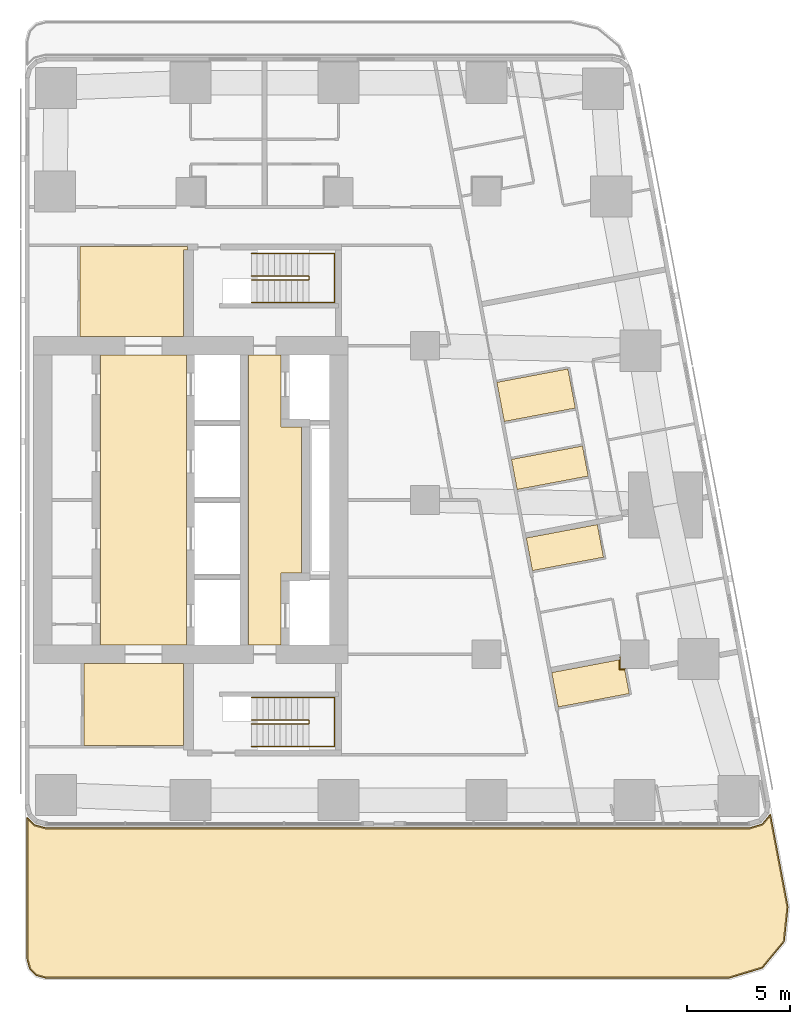
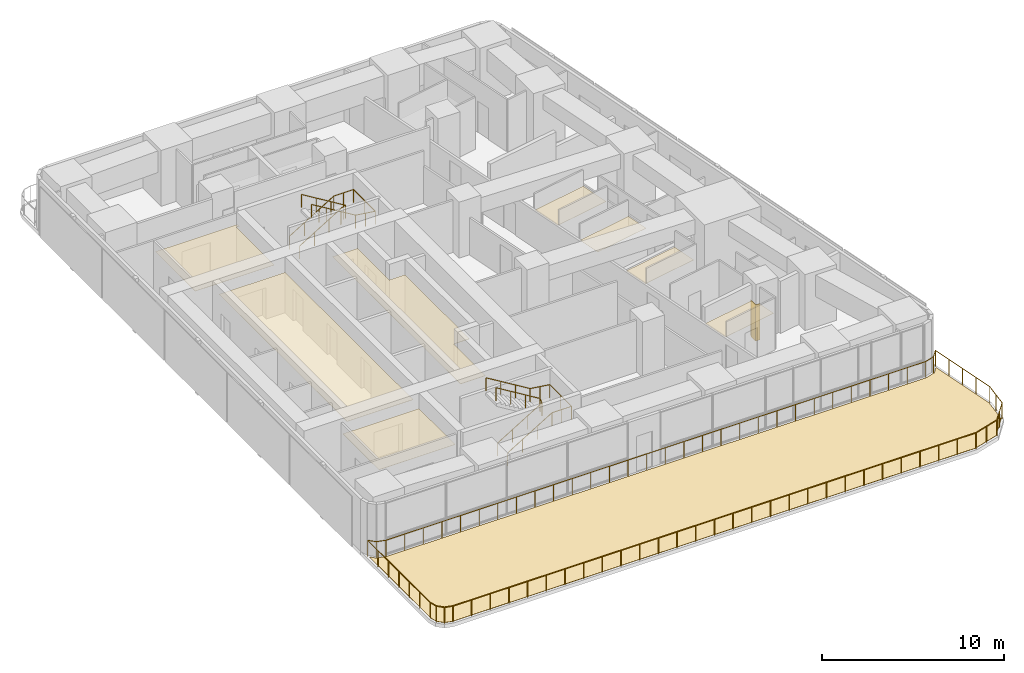
# One storey, part 11 of 12: 10 coverings, 5 railings.
"""IFC4 building model written with IfcOpenShell, lengths in metres."""

from ifc_helpers import new_model, si_unit, direction, frame, origin, origin_2d, place, context, subcontext, project, spatial, polyline, circle, outline, extrude, material, layer, layer_set, type_object, element, save


model = new_model("IFC4")

# Units and contexts
model_context = context("Model", 3, precision=1e-05, world=origin(), true_north=direction((0.0, 1.0)))
body_context = subcontext(model_context, "Body", "Model", "MODEL_VIEW")
ifc_project = project(units=[si_unit("LENGTHUNIT", "METRE"), si_unit("AREAUNIT", "SQUARE_METRE"), si_unit("VOLUMEUNIT", "CUBIC_METRE"), si_unit("PLANEANGLEUNIT", "RADIAN"), si_unit("MASSUNIT", "GRAM", prefix="KILO")], contexts=[model_context])

# Site, building, storey
site_placement = place(None, origin())
site = spatial("IfcSite", under=ifc_project, at=site_placement, CompositionType="ELEMENT")
building_placement = place(site_placement, origin())
building = spatial("IfcBuilding", under=site, at=building_placement, Name="Sheger Commons Tower", CompositionType="ELEMENT")
storey_placement = place(building_placement, frame((0.0, 0.0, 251.60009765625)))
storey = spatial("IfcBuildingStorey", under=building, at=storey_placement, Name="L64", CompositionType="ELEMENT", Elevation=251.60009765625)

# Railings
ifc_material_1 = material(Name="Black steel guard with glass infill", Category="steel")
railing_type_1 = type_object("IfcRailingType", Name="GUARD 1100", PredefinedType="GUARDRAIL", material=ifc_material_1)
railing_1_placement = place(storey_placement, frame((13.64990234375, 7.04296875, 0.0)))
element("IfcRailing", 1, at=railing_1_placement, inside=storey, type_object=railing_type_1, Name="Terrace guard L64", PredefinedType="GUARDRAIL", context=body_context, shape_type="SweptSolid", body=[
    extrude(circle(Radius=0.02392578125, at=origin_2d()), frame((0.0, 0.0, 1.0771484375), z_axis=(0.706363371834, -0.707849409783, 0.0), x_axis=(0.707849409783, 0.706363371834, 0.0)), (0.0, 0.0, 1.0), 0.492919921875),
    extrude(circle(Radius=0.02392578125, at=origin_2d()), frame((0.34814453125, -0.348876953125, 1.0771484375), z_axis=(0.966104095777, -0.258152815448, 0.0), x_axis=(0.258152815448, 0.966104095777, 0.0)), (0.0, 0.0, 1.0), 0.557861328125),
    extrude(circle(Radius=0.02392578125, at=origin_2d()), frame((0.88720703125, -0.492919921875, 1.0771484375), z_axis=(1.0, 0.0, 0.0), x_axis=(0.0, 1.0, 0.0)), (0.0, 0.0, 1.0), 34.27978515625),
    extrude(circle(Radius=0.02392578125, at=origin_2d()), frame((35.1669921875, -0.492919921875, 1.0771484375), z_axis=(0.957350219535, 0.288930021211, 0.0), x_axis=(-0.288930021211, 0.957350219535, 0.0)), (0.0, 0.0, 1.0), 0.622802734375),
    extrude(circle(Radius=0.02392578125, at=origin_2d()), frame((35.76318359375, -0.31298828125, 1.0771484375), z_axis=(0.638491861563, 0.76962857452, 0.0), x_axis=(-0.76962857452, 0.638491861563, 0.0)), (0.0, 0.0, 1.0), 0.610595703125),
    extrude(circle(Radius=0.02392578125, at=origin_2d()), frame((36.153076171875, 0.156982421875, 1.0771484375), z_axis=(0.185744123327, -0.9825981481, 0.0), x_axis=(0.9825981481, 0.185744123327, 0.0)), (0.0, 0.0, 1.0), 4.57666015625),
    extrude(circle(Radius=0.02392578125, at=origin_2d()), frame((37.003173828125, -4.340087890625, 1.0771484375), z_axis=(-0.106047815515, -0.994361031429, 0.0), x_axis=(0.994361031429, -0.106047815515, 0.0)), (0.0, 0.0, 1.0), 1.6875),
    extrude(circle(Radius=0.02392578125, at=origin_2d()), frame((36.82421875, -6.01806640625, 1.0771484375), z_axis=(-0.638042593423, -0.770001070764, 0.0), x_axis=(0.770001070764, -0.638042593423, 0.0)), (0.0, 0.0, 1.0), 1.672607421875),
    extrude(circle(Radius=0.02392578125, at=origin_2d()), frame((35.757080078125, -7.305908203125, 1.0771484375), z_axis=(-0.957455232626, -0.288581838509, 0.0), x_axis=(0.288581838509, -0.957455232626, 0.0)), (0.0, 0.0, 1.0), 1.687744140625),
    extrude(circle(Radius=0.02392578125, at=origin_2d()), frame((34.14111328125, -7.79296875, 1.0771484375), z_axis=(-1.0, 0.0, 0.0), x_axis=(0.0, -1.0, 0.0)), (0.0, 0.0, 1.0), 33.22802734375),
    extrude(circle(Radius=0.02392578125, at=origin_2d()), frame((0.9130859375, -7.79296875, 1.0771484375), z_axis=(-0.965655254015, 0.259826731483, 0.0), x_axis=(-0.259826731483, -0.965655254015, 0.0)), (0.0, 0.0, 1.0), 0.477294921875),
    extrude(circle(Radius=0.02392578125, at=origin_2d()), frame((0.4521484375, -7.6689453125, 1.0771484375), z_axis=(-0.707369890659, 0.706843573776, 0.0), x_axis=(-0.706843573776, -0.707369890659, 0.0)), (0.0, 0.0, 1.0), 0.4638671875),
    extrude(circle(Radius=0.02392578125, at=origin_2d()), frame((0.1240234375, -7.341064453125, 1.0771484375), z_axis=(-0.259698463175, 0.965689757751, 0.0), x_axis=(-0.965689757751, -0.259698463175, 0.0)), (0.0, 0.0, 1.0), 0.4775390625),
    extrude(circle(Radius=0.02392578125, at=origin_2d()), frame((0.0, -6.8798828125, 1.0771484375), z_axis=(0.0, 1.0, 0.0), x_axis=(-1.0, 0.0, 0.0)), (0.0, 0.0, 1.0), 6.8798828125),
    extrude(circle(Radius=0.02099609375, at=origin_2d()), origin(), (0.0, 0.0, 1.0), 1.052001953125),
    extrude(circle(Radius=0.02099609375, at=origin_2d()), frame((0.34814453125, -0.348876953125, 0.0)), (0.0, 0.0, 1.0), 1.052001953125),
    extrude(circle(Radius=0.02099609375, at=origin_2d()), frame((0.88720703125, -0.492919921875, 0.0)), (0.0, 0.0, 1.0), 1.052001953125),
    extrude(circle(Radius=0.02099609375, at=origin_2d()), frame((2.0693359375, -0.492919921875, 0.0)), (0.0, 0.0, 1.0), 1.052001953125),
    extrude(circle(Radius=0.02099609375, at=origin_2d()), frame((3.251220703125, -0.492919921875, 0.0)), (0.0, 0.0, 1.0), 1.052001953125),
    extrude(circle(Radius=0.02099609375, at=origin_2d()), frame((4.433349609375, -0.492919921875, 0.0)), (0.0, 0.0, 1.0), 1.052001953125),
    extrude(circle(Radius=0.02099609375, at=origin_2d()), frame((5.615478515625, -0.492919921875, 0.0)), (0.0, 0.0, 1.0), 1.052001953125),
    extrude(circle(Radius=0.02099609375, at=origin_2d()), frame((6.797607421875, -0.492919921875, 0.0)), (0.0, 0.0, 1.0), 1.052001953125),
    extrude(circle(Radius=0.02099609375, at=origin_2d()), frame((7.9794921875, -0.492919921875, 0.0)), (0.0, 0.0, 1.0), 1.052001953125),
    extrude(circle(Radius=0.02099609375, at=origin_2d()), frame((9.16162109375, -0.492919921875, 0.0)), (0.0, 0.0, 1.0), 1.052001953125),
    extrude(circle(Radius=0.02099609375, at=origin_2d()), frame((10.34375, -0.492919921875, 0.0)), (0.0, 0.0, 1.0), 1.052001953125),
    extrude(circle(Radius=0.02099609375, at=origin_2d()), frame((11.52587890625, -0.492919921875, 0.0)), (0.0, 0.0, 1.0), 1.052001953125),
    extrude(circle(Radius=0.02099609375, at=origin_2d()), frame((12.707763671875, -0.492919921875, 0.0)), (0.0, 0.0, 1.0), 1.052001953125),
    extrude(circle(Radius=0.02099609375, at=origin_2d()), frame((13.889892578125, -0.492919921875, 0.0)), (0.0, 0.0, 1.0), 1.052001953125),
    extrude(circle(Radius=0.02099609375, at=origin_2d()), frame((15.072021484375, -0.492919921875, 0.0)), (0.0, 0.0, 1.0), 1.052001953125),
    extrude(circle(Radius=0.02099609375, at=origin_2d()), frame((16.25390625, -0.492919921875, 0.0)), (0.0, 0.0, 1.0), 1.052001953125),
    extrude(circle(Radius=0.02099609375, at=origin_2d()), frame((17.43603515625, -0.492919921875, 0.0)), (0.0, 0.0, 1.0), 1.052001953125),
    extrude(circle(Radius=0.02099609375, at=origin_2d()), frame((18.6181640625, -0.492919921875, 0.0)), (0.0, 0.0, 1.0), 1.052001953125),
    extrude(circle(Radius=0.02099609375, at=origin_2d()), frame((19.80029296875, -0.492919921875, 0.0)), (0.0, 0.0, 1.0), 1.052001953125),
    extrude(circle(Radius=0.02099609375, at=origin_2d()), frame((20.982177734375, -0.492919921875, 0.0)), (0.0, 0.0, 1.0), 1.052001953125),
    extrude(circle(Radius=0.02099609375, at=origin_2d()), frame((22.164306640625, -0.492919921875, 0.0)), (0.0, 0.0, 1.0), 1.052001953125),
    extrude(circle(Radius=0.02099609375, at=origin_2d()), frame((23.346435546875, -0.492919921875, 0.0)), (0.0, 0.0, 1.0), 1.052001953125),
    extrude(circle(Radius=0.02099609375, at=origin_2d()), frame((24.5283203125, -0.492919921875, 0.0)), (0.0, 0.0, 1.0), 1.052001953125),
    extrude(circle(Radius=0.02099609375, at=origin_2d()), frame((25.71044921875, -0.492919921875, 0.0)), (0.0, 0.0, 1.0), 1.052001953125),
    extrude(circle(Radius=0.02099609375, at=origin_2d()), frame((26.892578125, -0.492919921875, 0.0)), (0.0, 0.0, 1.0), 1.052001953125),
    extrude(circle(Radius=0.02099609375, at=origin_2d()), frame((28.07470703125, -0.492919921875, 0.0)), (0.0, 0.0, 1.0), 1.052001953125),
    extrude(circle(Radius=0.02099609375, at=origin_2d()), frame((29.256591796875, -0.492919921875, 0.0)), (0.0, 0.0, 1.0), 1.052001953125),
    extrude(circle(Radius=0.02099609375, at=origin_2d()), frame((30.438720703125, -0.492919921875, 0.0)), (0.0, 0.0, 1.0), 1.052001953125),
    extrude(circle(Radius=0.02099609375, at=origin_2d()), frame((31.620849609375, -0.492919921875, 0.0)), (0.0, 0.0, 1.0), 1.052001953125),
    extrude(circle(Radius=0.02099609375, at=origin_2d()), frame((32.802978515625, -0.492919921875, 0.0)), (0.0, 0.0, 1.0), 1.052001953125),
    extrude(circle(Radius=0.02099609375, at=origin_2d()), frame((33.98486328125, -0.492919921875, 0.0)), (0.0, 0.0, 1.0), 1.052001953125),
    extrude(circle(Radius=0.02099609375, at=origin_2d()), frame((35.1669921875, -0.492919921875, 0.0)), (0.0, 0.0, 1.0), 1.052001953125),
    extrude(circle(Radius=0.02099609375, at=origin_2d()), frame((35.76318359375, -0.31298828125, 0.0)), (0.0, 0.0, 1.0), 1.052001953125),
    extrude(circle(Radius=0.02099609375, at=origin_2d()), frame((36.153076171875, 0.156982421875, 0.0)), (0.0, 0.0, 1.0), 1.052001953125),
    extrude(circle(Radius=0.02099609375, at=origin_2d()), frame((36.36572265625, -0.96728515625, 0.0)), (0.0, 0.0, 1.0), 1.052001953125),
    extrude(circle(Radius=0.02099609375, at=origin_2d()), frame((36.578125, -2.091552734375, 0.0)), (0.0, 0.0, 1.0), 1.052001953125),
    extrude(circle(Radius=0.02099609375, at=origin_2d()), frame((36.79052734375, -3.2158203125, 0.0)), (0.0, 0.0, 1.0), 1.052001953125),
    extrude(circle(Radius=0.02099609375, at=origin_2d()), frame((37.003173828125, -4.340087890625, 0.0)), (0.0, 0.0, 1.0), 1.052001953125),
    extrude(circle(Radius=0.02099609375, at=origin_2d()), frame((36.91357421875, -5.17919921875, 0.0)), (0.0, 0.0, 1.0), 1.052001953125),
    extrude(circle(Radius=0.02099609375, at=origin_2d()), frame((36.82421875, -6.01806640625, 0.0)), (0.0, 0.0, 1.0), 1.052001953125),
    extrude(circle(Radius=0.02099609375, at=origin_2d()), frame((36.29052734375, -6.662109375, 0.0)), (0.0, 0.0, 1.0), 1.052001953125),
    extrude(circle(Radius=0.02099609375, at=origin_2d()), frame((35.757080078125, -7.305908203125, 0.0)), (0.0, 0.0, 1.0), 1.052001953125),
    extrude(circle(Radius=0.02099609375, at=origin_2d()), frame((34.94921875, -7.54931640625, 0.0)), (0.0, 0.0, 1.0), 1.052001953125),
    extrude(circle(Radius=0.02099609375, at=origin_2d()), frame((34.14111328125, -7.79296875, 0.0)), (0.0, 0.0, 1.0), 1.052001953125),
    extrude(circle(Radius=0.02099609375, at=origin_2d()), frame((32.954345703125, -7.79296875, 0.0)), (0.0, 0.0, 1.0), 1.052001953125),
    extrude(circle(Radius=0.02099609375, at=origin_2d()), frame((31.767578125, -7.79296875, 0.0)), (0.0, 0.0, 1.0), 1.052001953125),
    extrude(circle(Radius=0.02099609375, at=origin_2d()), frame((30.5810546875, -7.79296875, 0.0)), (0.0, 0.0, 1.0), 1.052001953125),
    extrude(circle(Radius=0.02099609375, at=origin_2d()), frame((29.394287109375, -7.79296875, 0.0)), (0.0, 0.0, 1.0), 1.052001953125),
    extrude(circle(Radius=0.02099609375, at=origin_2d()), frame((28.20751953125, -7.79296875, 0.0)), (0.0, 0.0, 1.0), 1.052001953125),
    extrude(circle(Radius=0.02099609375, at=origin_2d()), frame((27.020751953125, -7.79296875, 0.0)), (0.0, 0.0, 1.0), 1.052001953125),
    extrude(circle(Radius=0.02099609375, at=origin_2d()), frame((25.833984375, -7.79296875, 0.0)), (0.0, 0.0, 1.0), 1.052001953125),
    extrude(circle(Radius=0.02099609375, at=origin_2d()), frame((24.6474609375, -7.79296875, 0.0)), (0.0, 0.0, 1.0), 1.052001953125),
    extrude(circle(Radius=0.02099609375, at=origin_2d()), frame((23.460693359375, -7.79296875, 0.0)), (0.0, 0.0, 1.0), 1.052001953125),
    extrude(circle(Radius=0.02099609375, at=origin_2d()), frame((22.27392578125, -7.79296875, 0.0)), (0.0, 0.0, 1.0), 1.052001953125),
    extrude(circle(Radius=0.02099609375, at=origin_2d()), frame((21.087158203125, -7.79296875, 0.0)), (0.0, 0.0, 1.0), 1.052001953125),
    extrude(circle(Radius=0.02099609375, at=origin_2d()), frame((19.900634765625, -7.79296875, 0.0)), (0.0, 0.0, 1.0), 1.052001953125),
    extrude(circle(Radius=0.02099609375, at=origin_2d()), frame((18.7138671875, -7.79296875, 0.0)), (0.0, 0.0, 1.0), 1.052001953125),
    extrude(circle(Radius=0.02099609375, at=origin_2d()), frame((17.527099609375, -7.79296875, 0.0)), (0.0, 0.0, 1.0), 1.052001953125),
    extrude(circle(Radius=0.02099609375, at=origin_2d()), frame((16.34033203125, -7.79296875, 0.0)), (0.0, 0.0, 1.0), 1.052001953125),
    extrude(circle(Radius=0.02099609375, at=origin_2d()), frame((15.153564453125, -7.79296875, 0.0)), (0.0, 0.0, 1.0), 1.052001953125),
    extrude(circle(Radius=0.02099609375, at=origin_2d()), frame((13.967041015625, -7.79296875, 0.0)), (0.0, 0.0, 1.0), 1.052001953125),
    extrude(circle(Radius=0.02099609375, at=origin_2d()), frame((12.7802734375, -7.79296875, 0.0)), (0.0, 0.0, 1.0), 1.052001953125),
    extrude(circle(Radius=0.02099609375, at=origin_2d()), frame((11.593505859375, -7.79296875, 0.0)), (0.0, 0.0, 1.0), 1.052001953125),
    extrude(circle(Radius=0.02099609375, at=origin_2d()), frame((10.40673828125, -7.79296875, 0.0)), (0.0, 0.0, 1.0), 1.052001953125),
    extrude(circle(Radius=0.02099609375, at=origin_2d()), frame((9.22021484375, -7.79296875, 0.0)), (0.0, 0.0, 1.0), 1.052001953125),
    extrude(circle(Radius=0.02099609375, at=origin_2d()), frame((8.033447265625, -7.79296875, 0.0)), (0.0, 0.0, 1.0), 1.052001953125),
    extrude(circle(Radius=0.02099609375, at=origin_2d()), frame((6.8466796875, -7.79296875, 0.0)), (0.0, 0.0, 1.0), 1.052001953125),
    extrude(circle(Radius=0.02099609375, at=origin_2d()), frame((5.659912109375, -7.79296875, 0.0)), (0.0, 0.0, 1.0), 1.052001953125),
    extrude(circle(Radius=0.02099609375, at=origin_2d()), frame((4.47314453125, -7.79296875, 0.0)), (0.0, 0.0, 1.0), 1.052001953125),
    extrude(circle(Radius=0.02099609375, at=origin_2d()), frame((3.28662109375, -7.79296875, 0.0)), (0.0, 0.0, 1.0), 1.052001953125),
    extrude(circle(Radius=0.02099609375, at=origin_2d()), frame((2.099853515625, -7.79296875, 0.0)), (0.0, 0.0, 1.0), 1.052001953125),
    extrude(circle(Radius=0.02099609375, at=origin_2d()), frame((0.9130859375, -7.79296875, 0.0)), (0.0, 0.0, 1.0), 1.052001953125),
    extrude(circle(Radius=0.02099609375, at=origin_2d()), frame((0.4521484375, -7.6689453125, 0.0)), (0.0, 0.0, 1.0), 1.052001953125),
    extrude(circle(Radius=0.02099609375, at=origin_2d()), frame((0.1240234375, -7.341064453125, 0.0)), (0.0, 0.0, 1.0), 1.052001953125),
    extrude(circle(Radius=0.02099609375, at=origin_2d()), frame((0.0, -6.8798828125, 0.0)), (0.0, 0.0, 1.0), 1.052001953125),
    extrude(circle(Radius=0.02099609375, at=origin_2d()), frame((0.0, -5.733154296875, 0.0)), (0.0, 0.0, 1.0), 1.052001953125),
    extrude(circle(Radius=0.02099609375, at=origin_2d()), frame((0.0, -4.586669921875, 0.0)), (0.0, 0.0, 1.0), 1.052001953125),
    extrude(circle(Radius=0.02099609375, at=origin_2d()), frame((0.0, -3.43994140625, 0.0)), (0.0, 0.0, 1.0), 1.052001953125),
    extrude(circle(Radius=0.02099609375, at=origin_2d()), frame((0.0, -2.293212890625, 0.0)), (0.0, 0.0, 1.0), 1.052001953125),
    extrude(circle(Radius=0.02099609375, at=origin_2d()), frame((0.0, -1.146728515625, 0.0)), (0.0, 0.0, 1.0), 1.052001953125),
])
ifc_material_2 = material(Name="Steel handrail, black powder-coated", Category="steel")
railing_type_2 = type_object("IfcRailingType", Name="HANDRAIL 900", PredefinedType="HANDRAIL", material=ifc_material_2)
railing_2_placement = place(storey_placement, frame((24.550048828125, 11.60009765625, 0.17041015625)))
element("IfcRailing", 2, at=railing_2_placement, inside=storey, type_object=railing_type_2, Name="Stair S1 handrail L64", PredefinedType="HANDRAIL", context=body_context, shape_type="SweptSolid", body=[
    extrude(circle(Radius=0.02392578125, at=origin_2d()), frame((0.0, 0.0, 0.8759765625), z_axis=(0.854169791009, 0.0, 0.51999420009), x_axis=(0.0, 1.0, 0.0)), (0.0, 0.0, 1.0), 3.278076171875),
    extrude(circle(Radius=0.02392578125, at=origin_2d()), frame((2.800048828125, 0.0, 2.58056640625), z_axis=(0.0, 0.761090297175, 0.648645943136), x_axis=(-1.0, 0.0, 0.0)), (0.0, 0.0, 1.0), 0.2626953125),
    extrude(circle(Radius=0.02392578125, at=origin_2d()), frame((2.800048828125, 0.199951171875, 2.7509765625), z_axis=(-0.854169791009, 0.0, 0.51999420009), x_axis=(0.0, -1.0, 0.0)), (0.0, 0.0, 1.0), 3.278076171875),
    extrude(circle(Radius=0.02099609375, at=origin_2d()), origin(), (0.0, 0.0, 1.0), 0.851806640625),
    extrude(circle(Radius=0.02099609375, at=origin_2d()), frame((0.933349609375, 0.0, 0.568115234375)), (0.0, 0.0, 1.0), 0.851806640625),
    extrude(circle(Radius=0.02099609375, at=origin_2d()), frame((1.86669921875, 0.0, 1.136474609375)), (0.0, 0.0, 1.0), 0.851806640625),
    extrude(circle(Radius=0.02099609375, at=origin_2d()), frame((2.800048828125, 0.0, 1.70458984375)), (0.0, 0.0, 1.0), 0.851806640625),
    extrude(circle(Radius=0.02099609375, at=origin_2d()), frame((2.800048828125, 0.199951171875, 1.875)), (0.0, 0.0, 1.0), 0.851806640625),
    extrude(circle(Radius=0.02099609375, at=origin_2d()), frame((1.86669921875, 0.199951171875, 2.443115234375)), (0.0, 0.0, 1.0), 0.851806640625),
    extrude(circle(Radius=0.02099609375, at=origin_2d()), frame((0.933349609375, 0.199951171875, 3.011474609375)), (0.0, 0.0, 1.0), 0.851806640625),
    extrude(circle(Radius=0.02099609375, at=origin_2d()), frame((0.0, 0.199951171875, 3.57958984375)), (0.0, 0.0, 1.0), 0.851806640625),
])
railing_3_placement = place(storey_placement, frame((24.550048828125, 10.5, 0.17041015625)))
element("IfcRailing", 3, at=railing_3_placement, inside=storey, type_object=railing_type_2, Name="Stair S1 handrail L64", PredefinedType="HANDRAIL", context=body_context, shape_type="SweptSolid", body=[
    extrude(circle(Radius=0.02392578125, at=origin_2d()), frame((0.0, 0.0, 0.8759765625), z_axis=(0.854169791009, 0.0, 0.51999420009), x_axis=(0.0, 1.0, 0.0)), (0.0, 0.0, 1.0), 3.278076171875),
    extrude(circle(Radius=0.02392578125, at=origin_2d()), frame((2.800048828125, 0.0, 2.58056640625), z_axis=(1.0, 0.0, 0.0), x_axis=(0.0, 1.0, 0.0)), (0.0, 0.0, 1.0), 1.25),
    extrude(circle(Radius=0.02392578125, at=origin_2d()), frame((4.050048828125, 0.0, 2.58056640625), z_axis=(0.0, 1.0, 0.0), x_axis=(-1.0, 0.0, 0.0)), (0.0, 0.0, 1.0), 2.39990234375),
    extrude(circle(Radius=0.02392578125, at=origin_2d()), frame((4.050048828125, 2.39990234375, 2.58056640625), z_axis=(-0.990834877927, 0.0, 0.135078661092), x_axis=(0.0, -1.0, 0.0)), (0.0, 0.0, 1.0), 1.261474609375),
    extrude(circle(Radius=0.02392578125, at=origin_2d()), frame((2.800048828125, 2.39990234375, 2.7509765625), z_axis=(-0.854169791009, 0.0, 0.51999420009), x_axis=(0.0, -1.0, 0.0)), (0.0, 0.0, 1.0), 3.278076171875),
    extrude(circle(Radius=0.02099609375, at=origin_2d()), origin(), (0.0, 0.0, 1.0), 0.851806640625),
    extrude(circle(Radius=0.02099609375, at=origin_2d()), frame((0.933349609375, 0.0, 0.568115234375)), (0.0, 0.0, 1.0), 0.851806640625),
    extrude(circle(Radius=0.02099609375, at=origin_2d()), frame((1.86669921875, 0.0, 1.136474609375)), (0.0, 0.0, 1.0), 0.851806640625),
    extrude(circle(Radius=0.02099609375, at=origin_2d()), frame((2.800048828125, 0.0, 1.70458984375)), (0.0, 0.0, 1.0), 0.851806640625),
    extrude(circle(Radius=0.02099609375, at=origin_2d()), frame((3.425048828125, 0.0, 1.70458984375)), (0.0, 0.0, 1.0), 0.851806640625),
    extrude(circle(Radius=0.02099609375, at=origin_2d()), frame((4.050048828125, 0.0, 1.70458984375)), (0.0, 0.0, 1.0), 0.851806640625),
    extrude(circle(Radius=0.02099609375, at=origin_2d()), frame((4.050048828125, 1.199951171875, 1.70458984375)), (0.0, 0.0, 1.0), 0.851806640625),
    extrude(circle(Radius=0.02099609375, at=origin_2d()), frame((4.050048828125, 2.39990234375, 1.70458984375)), (0.0, 0.0, 1.0), 0.851806640625),
    extrude(circle(Radius=0.02099609375, at=origin_2d()), frame((3.425048828125, 2.39990234375, 1.789794921875)), (0.0, 0.0, 1.0), 0.851806640625),
    extrude(circle(Radius=0.02099609375, at=origin_2d()), frame((2.800048828125, 2.39990234375, 1.875)), (0.0, 0.0, 1.0), 0.851806640625),
    extrude(circle(Radius=0.02099609375, at=origin_2d()), frame((1.86669921875, 2.39990234375, 2.443115234375)), (0.0, 0.0, 1.0), 0.851806640625),
    extrude(circle(Radius=0.02099609375, at=origin_2d()), frame((0.933349609375, 2.39990234375, 3.011474609375)), (0.0, 0.0, 1.0), 0.851806640625),
    extrude(circle(Radius=0.02099609375, at=origin_2d()), frame((0.0, 2.39990234375, 3.57958984375)), (0.0, 0.0, 1.0), 0.851806640625),
])
railing_4_placement = place(storey_placement, frame((24.550048828125, 33.39990234375, 0.17041015625)))
element("IfcRailing", 4, at=railing_4_placement, inside=storey, type_object=railing_type_2, Name="Stair S2 handrail L64", PredefinedType="HANDRAIL", context=body_context, shape_type="SweptSolid", body=[
    extrude(circle(Radius=0.02392578125, at=origin_2d()), frame((0.0, 0.0, 0.8759765625), z_axis=(0.854169791009, 0.0, 0.51999420009), x_axis=(0.0, 1.0, 0.0)), (0.0, 0.0, 1.0), 3.278076171875),
    extrude(circle(Radius=0.02392578125, at=origin_2d()), frame((2.800048828125, 0.0, 2.58056640625), z_axis=(0.0, -0.761090297175, 0.648645943136), x_axis=(1.0, 0.0, 0.0)), (0.0, 0.0, 1.0), 0.2626953125),
    extrude(circle(Radius=0.02392578125, at=origin_2d()), frame((2.800048828125, -0.199951171875, 2.7509765625), z_axis=(-0.854169791009, 0.0, 0.51999420009), x_axis=(0.0, -1.0, 0.0)), (0.0, 0.0, 1.0), 3.278076171875),
    extrude(circle(Radius=0.02099609375, at=origin_2d()), origin(), (0.0, 0.0, 1.0), 0.851806640625),
    extrude(circle(Radius=0.02099609375, at=origin_2d()), frame((0.933349609375, 0.0, 0.568115234375)), (0.0, 0.0, 1.0), 0.851806640625),
    extrude(circle(Radius=0.02099609375, at=origin_2d()), frame((1.86669921875, 0.0, 1.136474609375)), (0.0, 0.0, 1.0), 0.851806640625),
    extrude(circle(Radius=0.02099609375, at=origin_2d()), frame((2.800048828125, 0.0, 1.70458984375)), (0.0, 0.0, 1.0), 0.851806640625),
    extrude(circle(Radius=0.02099609375, at=origin_2d()), frame((2.800048828125, -0.199951171875, 1.875)), (0.0, 0.0, 1.0), 0.851806640625),
    extrude(circle(Radius=0.02099609375, at=origin_2d()), frame((1.86669921875, -0.199951171875, 2.443115234375)), (0.0, 0.0, 1.0), 0.851806640625),
    extrude(circle(Radius=0.02099609375, at=origin_2d()), frame((0.933349609375, -0.199951171875, 3.011474609375)), (0.0, 0.0, 1.0), 0.851806640625),
    extrude(circle(Radius=0.02099609375, at=origin_2d()), frame((0.0, -0.199951171875, 3.57958984375)), (0.0, 0.0, 1.0), 0.851806640625),
])
railing_5_placement = place(storey_placement, frame((24.550048828125, 34.5, 0.17041015625)))
element("IfcRailing", 5, at=railing_5_placement, inside=storey, type_object=railing_type_2, Name="Stair S2 handrail L64", PredefinedType="HANDRAIL", context=body_context, shape_type="SweptSolid", body=[
    extrude(circle(Radius=0.02392578125, at=origin_2d()), frame((0.0, 0.0, 0.8759765625), z_axis=(0.854169791009, 0.0, 0.51999420009), x_axis=(0.0, 1.0, 0.0)), (0.0, 0.0, 1.0), 3.278076171875),
    extrude(circle(Radius=0.02392578125, at=origin_2d()), frame((2.800048828125, 0.0, 2.58056640625), z_axis=(1.0, 0.0, 0.0), x_axis=(0.0, 1.0, 0.0)), (0.0, 0.0, 1.0), 1.25),
    extrude(circle(Radius=0.02392578125, at=origin_2d()), frame((4.050048828125, 0.0, 2.58056640625), z_axis=(0.0, -1.0, 0.0), x_axis=(1.0, 0.0, 0.0)), (0.0, 0.0, 1.0), 2.39990234375),
    extrude(circle(Radius=0.02392578125, at=origin_2d()), frame((4.050048828125, -2.39990234375, 2.58056640625), z_axis=(-0.990834877927, 0.0, 0.135078661092), x_axis=(0.0, -1.0, 0.0)), (0.0, 0.0, 1.0), 1.261474609375),
    extrude(circle(Radius=0.02392578125, at=origin_2d()), frame((2.800048828125, -2.39990234375, 2.7509765625), z_axis=(-0.854169791009, 0.0, 0.51999420009), x_axis=(0.0, -1.0, 0.0)), (0.0, 0.0, 1.0), 3.278076171875),
    extrude(circle(Radius=0.02099609375, at=origin_2d()), origin(), (0.0, 0.0, 1.0), 0.851806640625),
    extrude(circle(Radius=0.02099609375, at=origin_2d()), frame((0.933349609375, 0.0, 0.568115234375)), (0.0, 0.0, 1.0), 0.851806640625),
    extrude(circle(Radius=0.02099609375, at=origin_2d()), frame((1.86669921875, 0.0, 1.136474609375)), (0.0, 0.0, 1.0), 0.851806640625),
    extrude(circle(Radius=0.02099609375, at=origin_2d()), frame((2.800048828125, 0.0, 1.70458984375)), (0.0, 0.0, 1.0), 0.851806640625),
    extrude(circle(Radius=0.02099609375, at=origin_2d()), frame((3.425048828125, 0.0, 1.70458984375)), (0.0, 0.0, 1.0), 0.851806640625),
    extrude(circle(Radius=0.02099609375, at=origin_2d()), frame((4.050048828125, 0.0, 1.70458984375)), (0.0, 0.0, 1.0), 0.851806640625),
    extrude(circle(Radius=0.02099609375, at=origin_2d()), frame((4.050048828125, -1.199951171875, 1.70458984375)), (0.0, 0.0, 1.0), 0.851806640625),
    extrude(circle(Radius=0.02099609375, at=origin_2d()), frame((4.050048828125, -2.39990234375, 1.70458984375)), (0.0, 0.0, 1.0), 0.851806640625),
    extrude(circle(Radius=0.02099609375, at=origin_2d()), frame((3.425048828125, -2.39990234375, 1.789794921875)), (0.0, 0.0, 1.0), 0.851806640625),
    extrude(circle(Radius=0.02099609375, at=origin_2d()), frame((2.800048828125, -2.39990234375, 1.875)), (0.0, 0.0, 1.0), 0.851806640625),
    extrude(circle(Radius=0.02099609375, at=origin_2d()), frame((1.86669921875, -2.39990234375, 2.443115234375)), (0.0, 0.0, 1.0), 0.851806640625),
    extrude(circle(Radius=0.02099609375, at=origin_2d()), frame((0.933349609375, -2.39990234375, 3.011474609375)), (0.0, 0.0, 1.0), 0.851806640625),
    extrude(circle(Radius=0.02099609375, at=origin_2d()), frame((0.0, -2.39990234375, 3.57958984375)), (0.0, 0.0, 1.0), 0.851806640625),
])

# Coverings
ifc_material_3 = material(Name="Moisture-resistant gypsum plasterboard 15 mm on a suspended galvanised steel grid", Category="steel")
ifc_layer_1 = layer(ifc_material_3, 0.014892578125)
ifc_layer_set_1 = layer_set([ifc_layer_1], Name="MOISTURE-RESISTANT CEILING 15")
covering_type_1 = type_object("IfcCoveringType", Name="MOISTURE-RESISTANT CEILING 15", PredefinedType="CEILING", material=ifc_layer_set_1)
covering_1_placement = place(storey_placement, frame((0.0, 0.0, 2.39990234375)))
element("IfcCovering", 6, at=covering_1_placement, inside=storey, type_object=covering_type_1, Name="L64-02.B1 ceiling", PredefinedType="CEILING", context=body_context, shape_type="SweptSolid", body=[
    extrude(outline(polyline([(36.85888671875, 26.319091796875), (40.31298828125, 26.970947265625), (39.952880859375, 28.8779296875), (36.4990234375, 28.22509765625), (36.85888671875, 26.319091796875)])), origin(), (0.0, 0.0, 1.0), 0.014892578125),
])
covering_2_placement = place(storey_placement, frame((0.0, 0.0, 2.39990234375)))
element("IfcCovering", 7, at=covering_2_placement, inside=storey, type_object=covering_type_1, Name="L64-02.B2 ceiling", PredefinedType="CEILING", context=body_context, shape_type="SweptSolid", body=[
    extrude(outline(polyline([(37.48388671875, 23.010986328125), (40.93896484375, 23.6630859375), (40.662109375, 25.1279296875), (37.2080078125, 24.47509765625), (37.48388671875, 23.010986328125)])), origin(), (0.0, 0.0, 1.0), 0.014892578125),
])
covering_3_placement = place(storey_placement, frame((0.0, 0.0, 2.39990234375)))
element("IfcCovering", 8, at=covering_3_placement, inside=storey, type_object=covering_type_1, Name="L64-03.B1 ceiling", PredefinedType="CEILING", context=body_context, shape_type="SweptSolid", body=[
    extrude(outline(polyline([(38.22900390625, 19.06494140625), (41.68408203125, 19.716064453125), (41.384033203125, 21.303955078125), (37.929931640625, 20.652099609375), (38.22900390625, 19.06494140625)])), origin(), (0.0, 0.0, 1.0), 0.014892578125),
])
covering_4_placement = place(storey_placement, frame((0.0, 0.0, 2.39990234375)))
element("IfcCovering", 9, at=covering_4_placement, inside=storey, type_object=covering_type_1, Name="L64-04.B1 ceiling", PredefinedType="CEILING", context=body_context, shape_type="SweptSolid", body=[
    extrude(outline(polyline([(39.48291015625, 12.429931640625), (42.93701171875, 13.0830078125), (42.7099609375, 14.284912109375), (42.7529296875, 14.29296875), (42.7529296875, 14.294921875), (42.4951171875, 14.294921875), (42.4951171875, 14.73388671875), (39.166015625, 14.10498046875), (39.48291015625, 12.429931640625)])), origin(), (0.0, 0.0, 1.0), 0.014892578125),
])
ifc_material_4 = material(Name="Gypsum plasterboard 15 mm on a suspended steel grid", Category="steel")
ifc_layer_2 = layer(ifc_material_4, 0.014892578125)
ifc_layer_set_2 = layer_set([ifc_layer_2], Name="SUSPENDED CEILING 15")
covering_type_2 = type_object("IfcCoveringType", Name="SUSPENDED CEILING 15", PredefinedType="CEILING", material=ifc_layer_set_2)
covering_5_placement = place(storey_placement, frame((0.0, 0.0, 2.699951171875)))
element("IfcCovering", 10, at=covering_5_placement, inside=storey, type_object=covering_type_2, Name="L64-SVS1 ceiling", PredefinedType="CEILING", context=body_context, shape_type="SweptSolid", body=[
    extrude(outline(polyline([(16.406982421875, 10.568115234375), (21.2451171875, 10.568115234375), (21.2451171875, 14.544921875), (16.406982421875, 14.544921875), (16.406982421875, 10.568115234375)])), origin(), (0.0, 0.0, 1.0), 0.014892578125),
])
covering_6_placement = place(storey_placement, frame((0.0, 0.0, 2.699951171875)))
element("IfcCovering", 11, at=covering_6_placement, inside=storey, type_object=covering_type_2, Name="L64-SVN1 ceiling", PredefinedType="CEILING", context=body_context, shape_type="SweptSolid", body=[
    extrude(outline(polyline([(16.217041015625, 30.455078125), (21.2451171875, 30.455078125), (21.2451171875, 34.655029296875), (21.445068359375, 34.655029296875), (21.445068359375, 34.83203125), (16.217041015625, 34.83203125), (16.217041015625, 30.455078125)])), origin(), (0.0, 0.0, 1.0), 0.014892578125),
])
covering_7_placement = place(storey_placement, frame((0.0, 0.0, 2.699951171875)))
element("IfcCovering", 12, at=covering_7_placement, inside=storey, type_object=covering_type_2, Name="L64-LL ceiling", PredefinedType="CEILING", context=body_context, shape_type="SweptSolid", body=[
    extrude(outline(polyline([(17.205078125, 15.455078125), (21.39990234375, 15.455078125), (21.39990234375, 29.544921875), (17.205078125, 29.544921875), (17.205078125, 15.455078125)])), origin(), (0.0, 0.0, 1.0), 0.014892578125),
])
covering_8_placement = place(storey_placement, frame((0.0, 0.0, 2.699951171875)))
element("IfcCovering", 13, at=covering_8_placement, inside=storey, type_object=covering_type_2, Name="L64-FL ceiling", PredefinedType="CEILING", context=body_context, shape_type="SweptSolid", body=[
    extrude(outline(polyline([(24.405029296875, 15.455078125), (25.9951171875, 15.455078125), (25.9951171875, 18.955078125), (26.9951171875, 18.955078125), (26.9951171875, 26.044921875), (25.9951171875, 26.044921875), (25.9951171875, 29.544921875), (24.405029296875, 29.544921875), (24.405029296875, 15.455078125)])), origin(), (0.0, 0.0, 1.0), 0.014892578125),
])
ifc_material_5 = material(Name="Porcelain paving tiles on a liquid-applied polyurethane waterproofing membrane")
ifc_layer_3 = layer(ifc_material_5, 0.014892578125)
ifc_layer_set_3 = layer_set([ifc_layer_3], Name="TERRACE TILING 15")
covering_type_3 = type_object("IfcCoveringType", Name="TERRACE TILING 15", PredefinedType="ROOFING", material=ifc_layer_set_3)
covering_9_placement = place(storey_placement, origin())
element("IfcCovering", 14, at=covering_9_placement, inside=storey, type_object=covering_type_3, Name="Roof terrace terrace finish", PredefinedType="ROOFING", context=body_context, shape_type="SweptSolid", body=[
    extrude(outline(polyline([(14.569091796875, -0.705078125), (47.783935546875, -0.705078125), (49.381103515625, -0.22412109375), (50.430908203125, 1.04296875), (50.60791015625, 2.700927734375), (49.777099609375, 7.097900390625), (49.43896484375, 6.69091796875), (48.823974609375, 6.5048828125), (14.531005859375, 6.5048828125), (13.97509765625, 6.654052734375), (13.695068359375, 6.93408203125), (13.695068359375, 0.1689453125), (13.81396484375, -0.27490234375), (14.125, -0.5859375), (14.569091796875, -0.705078125)])), origin(), (0.0, 0.0, 1.0), 0.014892578125),
])
ifc_material_6 = material(Name="Moisture-resistant gypsum board 12.5 mm on 25 mm treated timber battens, tanked and tiled", Category="wood")
ifc_layer_4 = layer(ifc_material_6, 0.050048828125)
ifc_layer_set_4 = layer_set([ifc_layer_4], Name="WET-ROOM COLUMN LINING")
covering_type_4 = type_object("IfcCoveringType", Name="WET-ROOM COLUMN LINING", PredefinedType="CLADDING", material=ifc_layer_set_4)
covering_10_placement = place(storey_placement, origin())
element("IfcCovering", 15, at=covering_10_placement, inside=storey, type_object=covering_type_4, Name="Shower room column lining C11 L64", PredefinedType="CLADDING", context=body_context, shape_type="SweptSolid", body=[
    extrude(outline(polyline([(42.5, 14.866943359375), (42.5, 14.300048828125), (42.762939453125, 14.300048828125), (42.764892578125, 14.2900390625), (42.716064453125, 14.281005859375), (42.721923828125, 14.25), (42.449951171875, 14.25), (42.449951171875, 14.73095703125), (42.4990234375, 14.739990234375), (42.47607421875, 14.862060546875), (42.5, 14.866943359375)])), origin(), (0.0, 0.0, 1.0), 2.39990234375),
])

save(model, "model.ifc")
